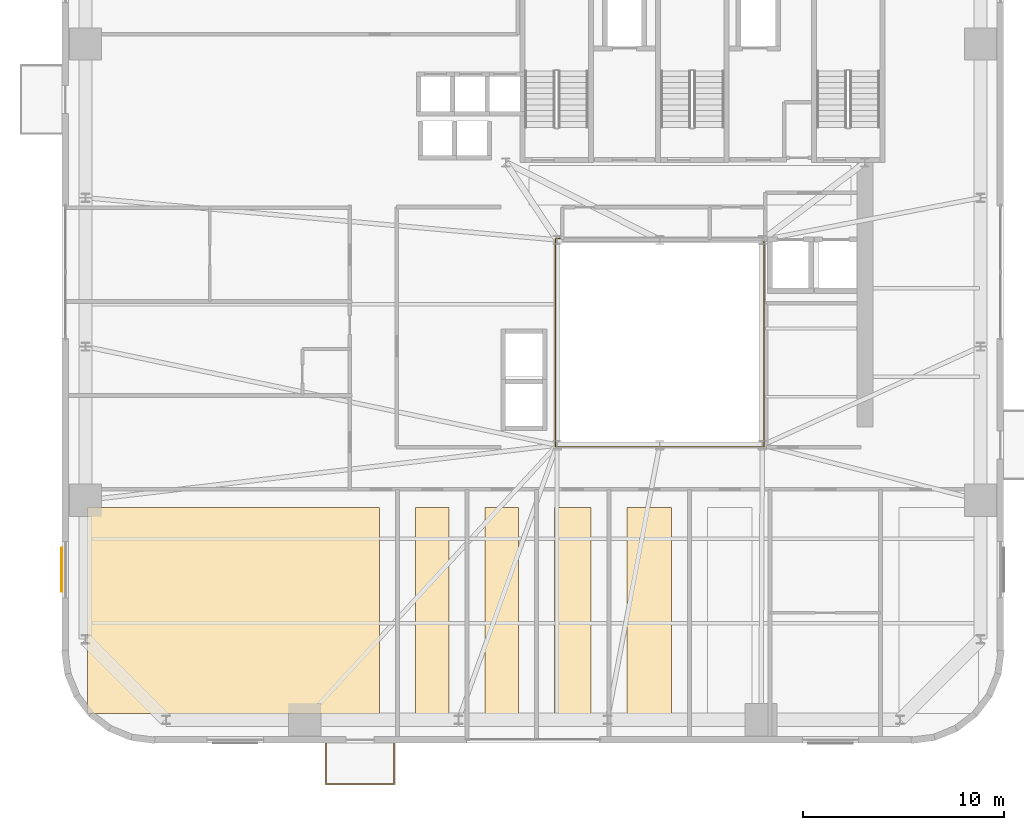
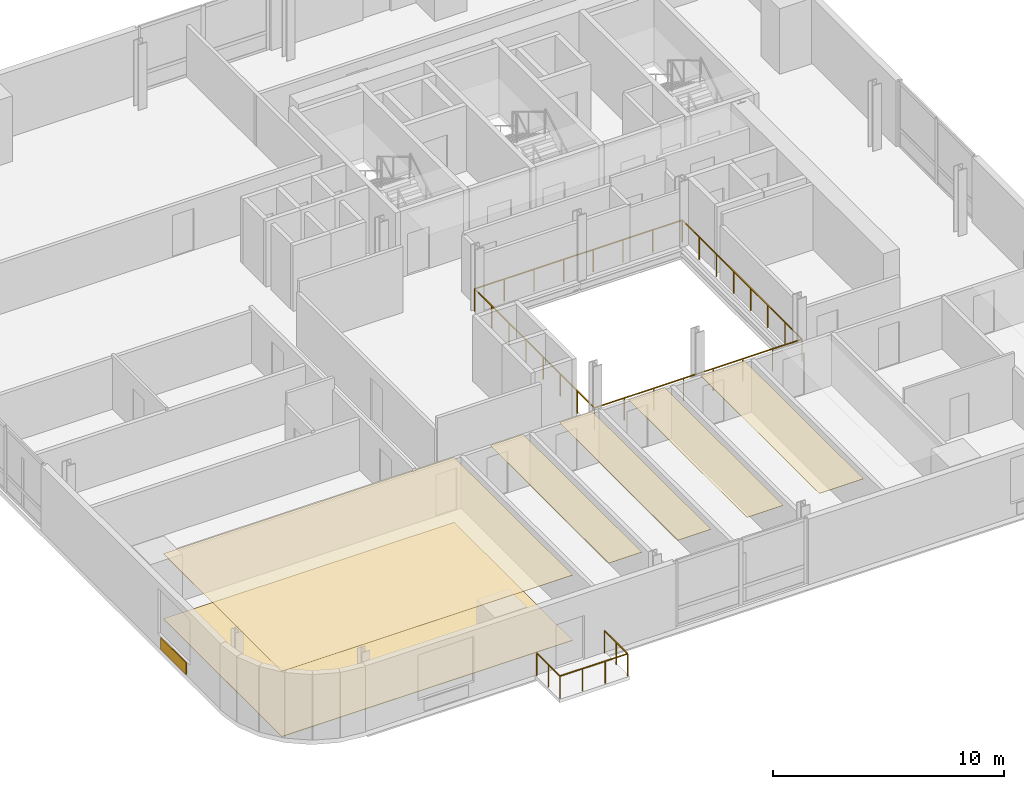
# One storey, part 10 of 14: 7 coverings, 2 railings.
"""IFC4 building model written with IfcOpenShell, lengths in metres."""

from ifc_helpers import new_model, si_unit, direction, frame, origin, origin_2d, place, context, subcontext, project, spatial, polyline, rectangle, outline, extrude, source, transform, mapped, material, layer, layer_set, type_object, element, save


model = new_model("IFC4")

# Units and contexts
model_context = context("Model", 3, precision=1e-05, world=origin(), true_north=direction((0.0, 1.0)))
body_context = subcontext(model_context, "Body", "Model", "MODEL_VIEW")
ifc_project = project(units=[si_unit("LENGTHUNIT", "METRE"), si_unit("AREAUNIT", "SQUARE_METRE"), si_unit("VOLUMEUNIT", "CUBIC_METRE"), si_unit("PLANEANGLEUNIT", "RADIAN"), si_unit("MASSUNIT", "GRAM", prefix="KILO")], contexts=[model_context])

# Site, building, storey
site_placement = place(None, origin())
site = spatial("IfcSite", under=ifc_project, at=site_placement, CompositionType="ELEMENT")
building_placement = place(site_placement, origin())
building = spatial("IfcBuilding", under=site, at=building_placement, Name="Vardaveli Station Tower", CompositionType="ELEMENT")
storey_placement = place(building_placement, frame((0.0, 0.0, 140.89990234375)))
storey = spatial("IfcBuildingStorey", under=building, at=storey_placement, Name="L36", CompositionType="ELEMENT", Elevation=140.89990234375)

# Coverings
ifc_material_1 = material(Name="Perforated acoustic mineral ceiling")
ifc_layer_1 = layer(ifc_material_1, 0.02001953125, Name="Perforated acoustic mineral ceiling")
ifc_layer_set_1 = layer_set([ifc_layer_1], Name="Perforated acoustic mineral ceiling")
covering_type_1 = type_object("IfcCoveringType", Name="COV-CEIL-AC20", PredefinedType="CEILING", material=ifc_layer_set_1)
covering_1_placement = place(storey_placement, frame((0.0, 0.0, 3.445068359375)))
element("IfcCovering", 1, at=covering_1_placement, inside=storey, type_object=covering_type_1, Name="CEIL-L36-1", PredefinedType="CEILING", context=body_context, shape_type="SweptSolid", body=[
    extrude(outline(polyline([(7.85009765625, 3.25), (22.3701171875, 3.25), (22.3701171875, 13.5), (7.85009765625, 13.5), (7.85009765625, 3.25)])), origin(), (0.0, 0.0, 1.0), 0.02001953125),
])
covering_2_placement = place(storey_placement, frame((0.0, 0.0, 3.445068359375)))
element("IfcCovering", 2, at=covering_2_placement, inside=storey, type_object=covering_type_1, Name="CEIL-L36-2", PredefinedType="CEILING", context=body_context, shape_type="SweptSolid", body=[
    extrude(outline(polyline([(24.169921875, 3.25), (25.820068359375, 3.25), (25.820068359375, 13.5), (24.169921875, 13.5), (24.169921875, 3.25)])), origin(), (0.0, 0.0, 1.0), 0.02001953125),
])
covering_3_placement = place(storey_placement, frame((0.0, 0.0, 3.445068359375)))
element("IfcCovering", 3, at=covering_3_placement, inside=storey, type_object=covering_type_1, Name="CEIL-L36-3", PredefinedType="CEILING", context=body_context, shape_type="SweptSolid", body=[
    extrude(outline(polyline([(27.6201171875, 3.25), (29.27001953125, 3.25), (29.27001953125, 13.5), (27.6201171875, 13.5), (27.6201171875, 3.25)])), origin(), (0.0, 0.0, 1.0), 0.02001953125),
])
covering_4_placement = place(storey_placement, frame((0.0, 0.0, 3.445068359375)))
element("IfcCovering", 4, at=covering_4_placement, inside=storey, type_object=covering_type_1, Name="CEIL-L36-4", PredefinedType="CEILING", context=body_context, shape_type="SweptSolid", body=[
    extrude(outline(polyline([(31.070068359375, 3.25), (32.878662109375, 3.25), (32.878662109375, 13.5), (31.070068359375, 13.5), (31.070068359375, 3.25)])), origin(), (0.0, 0.0, 1.0), 0.02001953125),
])
covering_5_placement = place(storey_placement, frame((0.0, 0.0, 3.445068359375)))
element("IfcCovering", 5, at=covering_5_placement, inside=storey, type_object=covering_type_1, Name="CEIL-L36-5", PredefinedType="CEILING", context=body_context, shape_type="SweptSolid", body=[
    extrude(outline(polyline([(34.6787109375, 3.25), (36.881591796875, 3.25), (36.881591796875, 13.5), (34.6787109375, 13.5), (34.6787109375, 3.25)])), origin(), (0.0, 0.0, 1.0), 0.02001953125),
])
ifc_material_2 = material(Name="Honed Caucasian basalt and travertine flooring", Category="masonry")
ifc_layer_2 = layer(ifc_material_2, 0.030029296875, Name="Honed Caucasian basalt and travertine flooring")
ifc_layer_set_2 = layer_set([ifc_layer_2], Name="Honed Caucasian basalt and travertine flooring")
covering_type_2 = type_object("IfcCoveringType", Name="COV-FLOOR-ST30", PredefinedType="FLOORING", material=ifc_layer_set_2)
covering_6_placement = place(storey_placement, origin())
element("IfcCovering", 6, at=covering_6_placement, inside=storey, type_object=covering_type_2, Name="FLR-L36-1", PredefinedType="FLOORING", context=body_context, shape_type="SweptSolid", body=[
    extrude(outline(polyline([(7.85009765625, 3.25), (22.3701171875, 3.25), (22.3701171875, 13.5), (7.85009765625, 13.5), (7.85009765625, 3.25)])), origin(), (0.0, 0.0, 1.0), 0.030029296875),
])
ifc_material_3 = material(Name="Ventilated honed travertine stone cladding", Category="masonry")
ifc_layer_3 = layer(ifc_material_3, 0.044921875, Name="Ventilated honed travertine stone cladding")
ifc_layer_set_3 = layer_set([ifc_layer_3], Name="Ventilated honed travertine stone cladding")
covering_type_3 = type_object("IfcCoveringType", Name="COV-CLAD-TR45", PredefinedType="CLADDING", material=ifc_layer_set_3)
shared_shape_1 = source(origin(), body_context, "Body", "SweptSolid", [
    extrude(rectangle(XDim=2.199951171875, YDim=0.044921875, at=origin_2d()), origin(), (0.0, 0.0, 1.0), 0.6201171875),
])
covering_7_placement = place(storey_placement, frame((6.58544921875, 10.405029296875, 0.070068359375), z_axis=(0.0, 0.0, 1.0), x_axis=(0.0, 1.0, 0.0)))
element("IfcCovering", 7, at=covering_7_placement, inside=storey, type_object=covering_type_3, Name="CLD-TR-L36-W", PredefinedType="CLADDING", context=body_context, shape_type="MappedRepresentation", body=[
    mapped(shared_shape_1, transform((0.0, 0.0, 0.0), scale=1.0)),
])

# Railings
ifc_material_4 = material(Name="Laminated glass and stainless steel balustrade", Category="steel")
railing_type = type_object("IfcRailingType", Name="RL-BAL-1200", PredefinedType="BALUSTRADE", material=ifc_material_4)
shared_shape_2 = source(origin(), body_context, "Body", "SweptSolid", [
    extrude(rectangle(XDim=0.048095703125, YDim=0.048095703125, at=origin_2d()), frame((0.0, 0.0, 1.17578125), z_axis=(0.0, -1.0, 0.0), x_axis=(1.0, 0.0, 0.0)), (0.0, 0.0, 1.0), 2.0),
    extrude(rectangle(XDim=0.048095703125, YDim=0.048095703125, at=origin_2d()), frame((0.0, -2.0, 1.17578125), z_axis=(1.0, 0.0, 0.0), x_axis=(0.0, 1.0, 0.0)), (0.0, 0.0, 1.0), 3.3798828125),
    extrude(rectangle(XDim=0.048095703125, YDim=0.048095703125, at=origin_2d()), frame((3.3798828125, -2.0, 1.17578125), z_axis=(0.0, 1.0, 0.0), x_axis=(-1.0, 0.0, 0.0)), (0.0, 0.0, 1.0), 2.0),
    extrude(rectangle(XDim=0.0419921875, YDim=0.0419921875, at=origin_2d()), origin(), (0.0, 0.0, 1.0), 1.15185546875),
    extrude(rectangle(XDim=0.0419921875, YDim=0.0419921875, at=origin_2d()), frame((0.0, -1.0, 0.0)), (0.0, 0.0, 1.0), 1.15185546875),
    extrude(rectangle(XDim=0.0419921875, YDim=0.0419921875, at=origin_2d()), frame((0.0, -2.0, 0.0)), (0.0, 0.0, 1.0), 1.15185546875),
    extrude(rectangle(XDim=0.0419921875, YDim=0.0419921875, at=origin_2d()), frame((1.126708984375, -2.0, 0.0)), (0.0, 0.0, 1.0), 1.15185546875),
    extrude(rectangle(XDim=0.0419921875, YDim=0.0419921875, at=origin_2d()), frame((2.253173828125, -2.0, 0.0)), (0.0, 0.0, 1.0), 1.15185546875),
    extrude(rectangle(XDim=0.0419921875, YDim=0.0419921875, at=origin_2d()), frame((3.3798828125, -2.0, 0.0)), (0.0, 0.0, 1.0), 1.15185546875),
    extrude(rectangle(XDim=0.0419921875, YDim=0.0419921875, at=origin_2d()), frame((3.3798828125, -1.0, 0.0)), (0.0, 0.0, 1.0), 1.15185546875),
    extrude(rectangle(XDim=0.0419921875, YDim=0.0419921875, at=origin_2d()), frame((3.3798828125, 0.0, 0.0)), (0.0, 0.0, 1.0), 1.15185546875),
])
railing_1_placement = place(storey_placement, frame((19.720458984375, 1.760009765625, 0.0)))
element("IfcRailing", 8, at=railing_1_placement, inside=storey, type_object=railing_type, Name="RL-LOG-L36-01", PredefinedType="BALUSTRADE", context=body_context, shape_type="MappedRepresentation", body=[
    mapped(shared_shape_2, transform((0.0, 0.0, 0.0), scale=1.0)),
])
shared_shape_3 = source(origin(), body_context, "Body", "SweptSolid", [
    extrude(rectangle(XDim=0.048095703125, YDim=0.048095703125, at=origin_2d()), frame((0.0, 0.0, 1.17578125), z_axis=(1.0, 0.0, 0.0), x_axis=(0.0, 1.0, 0.0)), (0.0, 0.0, 1.0), 10.35986328125),
    extrude(rectangle(XDim=0.048095703125, YDim=0.048095703125, at=origin_2d()), frame((10.35986328125, 0.0, 1.17578125), z_axis=(0.0, 1.0, 0.0), x_axis=(-1.0, 0.0, 0.0)), (0.0, 0.0, 1.0), 10.35986328125),
    extrude(rectangle(XDim=0.048095703125, YDim=0.048095703125, at=origin_2d()), frame((10.35986328125, 10.35986328125, 1.17578125), z_axis=(-1.0, 0.0, 0.0), x_axis=(0.0, -1.0, 0.0)), (0.0, 0.0, 1.0), 10.35986328125),
    extrude(rectangle(XDim=0.048095703125, YDim=0.048095703125, at=origin_2d()), frame((0.0, 10.35986328125, 1.17578125), z_axis=(0.0, -1.0, 0.0), x_axis=(1.0, 0.0, 0.0)), (0.0, 0.0, 1.0), 10.35986328125),
    extrude(rectangle(XDim=0.0419921875, YDim=0.0419921875, at=origin_2d()), origin(), (0.0, 0.0, 1.0), 1.15185546875),
    extrude(rectangle(XDim=0.0419921875, YDim=0.0419921875, at=origin_2d()), frame((1.47998046875, 0.0, 0.0)), (0.0, 0.0, 1.0), 1.15185546875),
    extrude(rectangle(XDim=0.0419921875, YDim=0.0419921875, at=origin_2d()), frame((2.9599609375, 0.0, 0.0)), (0.0, 0.0, 1.0), 1.15185546875),
    extrude(rectangle(XDim=0.0419921875, YDim=0.0419921875, at=origin_2d()), frame((4.43994140625, 0.0, 0.0)), (0.0, 0.0, 1.0), 1.15185546875),
    extrude(rectangle(XDim=0.0419921875, YDim=0.0419921875, at=origin_2d()), frame((5.919921875, 0.0, 0.0)), (0.0, 0.0, 1.0), 1.15185546875),
    extrude(rectangle(XDim=0.0419921875, YDim=0.0419921875, at=origin_2d()), frame((7.39990234375, 0.0, 0.0)), (0.0, 0.0, 1.0), 1.15185546875),
    extrude(rectangle(XDim=0.0419921875, YDim=0.0419921875, at=origin_2d()), frame((8.8798828125, 0.0, 0.0)), (0.0, 0.0, 1.0), 1.15185546875),
    extrude(rectangle(XDim=0.0419921875, YDim=0.0419921875, at=origin_2d()), frame((10.35986328125, 0.0, 0.0)), (0.0, 0.0, 1.0), 1.15185546875),
    extrude(rectangle(XDim=0.0419921875, YDim=0.0419921875, at=origin_2d()), frame((10.35986328125, 1.47998046875, 0.0)), (0.0, 0.0, 1.0), 1.15185546875),
    extrude(rectangle(XDim=0.0419921875, YDim=0.0419921875, at=origin_2d()), frame((10.35986328125, 2.9599609375, 0.0)), (0.0, 0.0, 1.0), 1.15185546875),
    extrude(rectangle(XDim=0.0419921875, YDim=0.0419921875, at=origin_2d()), frame((10.35986328125, 4.43994140625, 0.0)), (0.0, 0.0, 1.0), 1.15185546875),
    extrude(rectangle(XDim=0.0419921875, YDim=0.0419921875, at=origin_2d()), frame((10.35986328125, 5.919921875, 0.0)), (0.0, 0.0, 1.0), 1.15185546875),
    extrude(rectangle(XDim=0.0419921875, YDim=0.0419921875, at=origin_2d()), frame((10.35986328125, 7.39990234375, 0.0)), (0.0, 0.0, 1.0), 1.15185546875),
    extrude(rectangle(XDim=0.0419921875, YDim=0.0419921875, at=origin_2d()), frame((10.35986328125, 8.8798828125, 0.0)), (0.0, 0.0, 1.0), 1.15185546875),
    extrude(rectangle(XDim=0.0419921875, YDim=0.0419921875, at=origin_2d()), frame((10.35986328125, 10.35986328125, 0.0)), (0.0, 0.0, 1.0), 1.15185546875),
    extrude(rectangle(XDim=0.0419921875, YDim=0.0419921875, at=origin_2d()), frame((8.8798828125, 10.35986328125, 0.0)), (0.0, 0.0, 1.0), 1.15185546875),
    extrude(rectangle(XDim=0.0419921875, YDim=0.0419921875, at=origin_2d()), frame((7.39990234375, 10.35986328125, 0.0)), (0.0, 0.0, 1.0), 1.15185546875),
    extrude(rectangle(XDim=0.0419921875, YDim=0.0419921875, at=origin_2d()), frame((5.919921875, 10.35986328125, 0.0)), (0.0, 0.0, 1.0), 1.15185546875),
    extrude(rectangle(XDim=0.0419921875, YDim=0.0419921875, at=origin_2d()), frame((4.43994140625, 10.35986328125, 0.0)), (0.0, 0.0, 1.0), 1.15185546875),
    extrude(rectangle(XDim=0.0419921875, YDim=0.0419921875, at=origin_2d()), frame((2.9599609375, 10.35986328125, 0.0)), (0.0, 0.0, 1.0), 1.15185546875),
    extrude(rectangle(XDim=0.0419921875, YDim=0.0419921875, at=origin_2d()), frame((1.47998046875, 10.35986328125, 0.0)), (0.0, 0.0, 1.0), 1.15185546875),
    extrude(rectangle(XDim=0.0419921875, YDim=0.0419921875, at=origin_2d()), frame((0.0, 10.35986328125, 0.0)), (0.0, 0.0, 1.0), 1.15185546875),
    extrude(rectangle(XDim=0.0419921875, YDim=0.0419921875, at=origin_2d()), frame((0.0, 8.8798828125, 0.0)), (0.0, 0.0, 1.0), 1.15185546875),
    extrude(rectangle(XDim=0.0419921875, YDim=0.0419921875, at=origin_2d()), frame((0.0, 7.39990234375, 0.0)), (0.0, 0.0, 1.0), 1.15185546875),
    extrude(rectangle(XDim=0.0419921875, YDim=0.0419921875, at=origin_2d()), frame((0.0, 5.919921875, 0.0)), (0.0, 0.0, 1.0), 1.15185546875),
    extrude(rectangle(XDim=0.0419921875, YDim=0.0419921875, at=origin_2d()), frame((0.0, 4.43994140625, 0.0)), (0.0, 0.0, 1.0), 1.15185546875),
    extrude(rectangle(XDim=0.0419921875, YDim=0.0419921875, at=origin_2d()), frame((0.0, 2.9599609375, 0.0)), (0.0, 0.0, 1.0), 1.15185546875),
    extrude(rectangle(XDim=0.0419921875, YDim=0.0419921875, at=origin_2d()), frame((0.0, 1.47998046875, 0.0)), (0.0, 0.0, 1.0), 1.15185546875),
])
railing_2_placement = place(storey_placement, frame((31.1201171875, 16.52001953125, 0.0)))
element("IfcRailing", 9, at=railing_2_placement, inside=storey, type_object=railing_type, Name="RL-ATR-L36", PredefinedType="BALUSTRADE", context=body_context, shape_type="MappedRepresentation", body=[
    mapped(shared_shape_3, transform((0.0, 0.0, 0.0), scale=1.0)),
])

save(model, "model.ifc")
